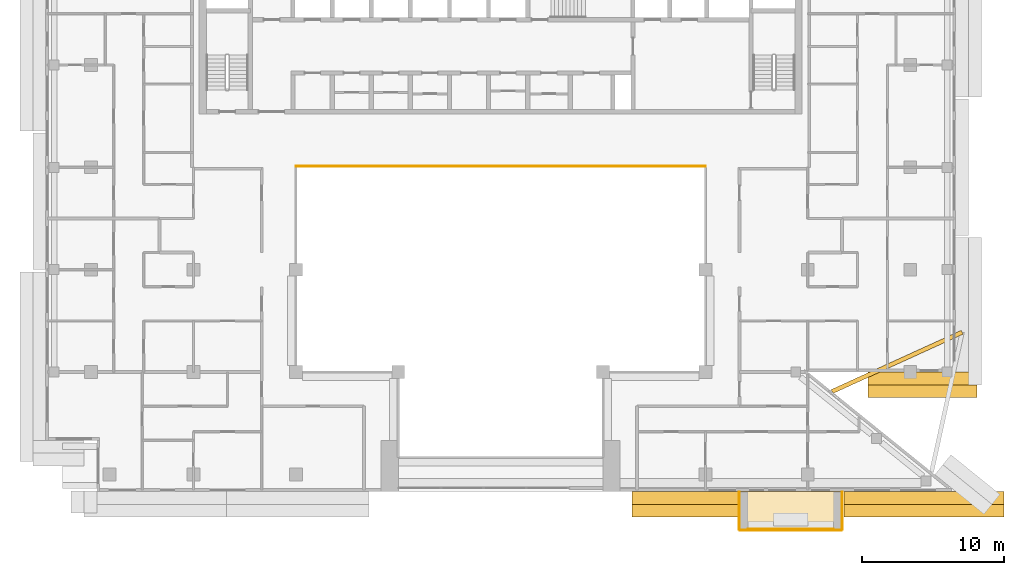
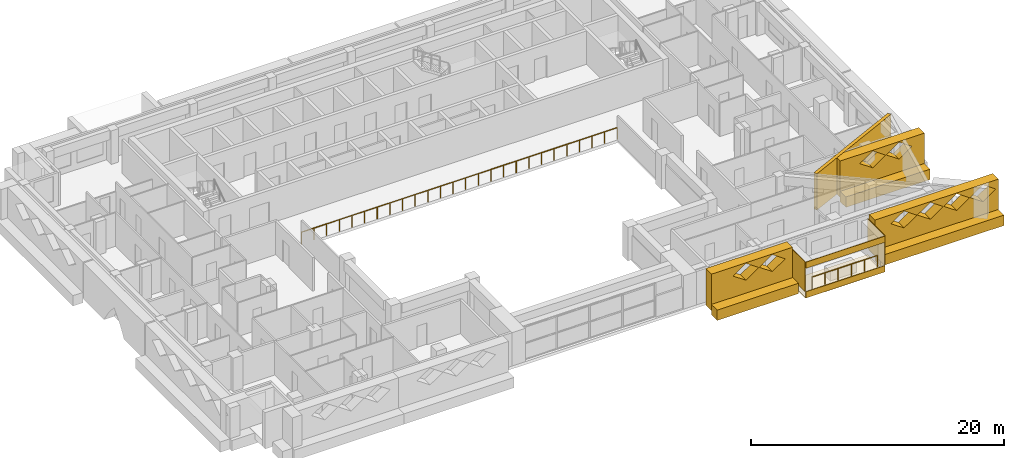
# One storey, part 15 of 19: 12 coverings, 2 railings.
"""IFC4 building model written with IfcOpenShell, lengths in metres."""

from ifc_helpers import new_model, si_unit, direction, frame, origin, origin_2d, place, context, subcontext, project, spatial, polyline, circle, outline, extrude, material, layer, layer_set, type_object, element, save


model = new_model("IFC4")

# Units and contexts
model_context = context("Model", 3, precision=1e-05, world=origin(), true_north=direction((0.0, 1.0)))
body_context = subcontext(model_context, "Body", "Model", "MODEL_VIEW")
ifc_project = project(units=[si_unit("LENGTHUNIT", "METRE"), si_unit("AREAUNIT", "SQUARE_METRE"), si_unit("VOLUMEUNIT", "CUBIC_METRE"), si_unit("PLANEANGLEUNIT", "RADIAN"), si_unit("MASSUNIT", "GRAM", prefix="KILO")], contexts=[model_context])

# Site, building, storey
site_placement = place(None, origin())
site = spatial("IfcSite", under=ifc_project, at=site_placement, CompositionType="ELEMENT")
building_placement = place(site_placement, origin())
building = spatial("IfcBuilding", under=site, at=building_placement, Name="Saffron Iwan Residences", CompositionType="ELEMENT")
storey_placement = place(building_placement, frame((0.0, 0.0, 215.0)))
storey = spatial("IfcBuildingStorey", under=building, at=storey_placement, Name="L57", CompositionType="ELEMENT", Elevation=215.0)

# Railings
ifc_material_1 = material(Name="Stainless steel 316", Category="steel")
railing_type_1 = type_object("IfcRailingType", Name="Atrium guard 1150", PredefinedType="GUARDRAIL", material=ifc_material_1)
railing_1_placement = place(storey_placement, frame((36.0, 62.47509765625, 0.0)))
element("IfcRailing", 1, at=railing_1_placement, inside=storey, type_object=railing_type_1, Name="Atrium guard L57", PredefinedType="GUARDRAIL", context=body_context, shape_type="SweptSolid", body=[
    extrude(circle(Radius=0.02392578125, at=origin_2d()), frame((0.0, 0.0, 1.1259765625), z_axis=(1.0, 0.0, 0.0), x_axis=(0.0, 1.0, 0.0)), (0.0, 0.0, 1.0), 28.800048828125),
    extrude(circle(Radius=0.02099609375, at=origin_2d()), origin(), (0.0, 0.0, 1.0), 1.101806640625),
    extrude(circle(Radius=0.02099609375, at=origin_2d()), frame((1.152099609375, 0.0, 0.0)), (0.0, 0.0, 1.0), 1.101806640625),
    extrude(circle(Radius=0.02099609375, at=origin_2d()), frame((2.303955078125, 0.0, 0.0)), (0.0, 0.0, 1.0), 1.101806640625),
    extrude(circle(Radius=0.02099609375, at=origin_2d()), frame((3.4560546875, 0.0, 0.0)), (0.0, 0.0, 1.0), 1.101806640625),
    extrude(circle(Radius=0.02099609375, at=origin_2d()), frame((4.60791015625, 0.0, 0.0)), (0.0, 0.0, 1.0), 1.101806640625),
    extrude(circle(Radius=0.02099609375, at=origin_2d()), frame((5.760009765625, 0.0, 0.0)), (0.0, 0.0, 1.0), 1.101806640625),
    extrude(circle(Radius=0.02099609375, at=origin_2d()), frame((6.912109375, 0.0, 0.0)), (0.0, 0.0, 1.0), 1.101806640625),
    extrude(circle(Radius=0.02099609375, at=origin_2d()), frame((8.06396484375, 0.0, 0.0)), (0.0, 0.0, 1.0), 1.101806640625),
    extrude(circle(Radius=0.02099609375, at=origin_2d()), frame((9.216064453125, 0.0, 0.0)), (0.0, 0.0, 1.0), 1.101806640625),
    extrude(circle(Radius=0.02099609375, at=origin_2d()), frame((10.367919921875, 0.0, 0.0)), (0.0, 0.0, 1.0), 1.101806640625),
    extrude(circle(Radius=0.02099609375, at=origin_2d()), frame((11.52001953125, 0.0, 0.0)), (0.0, 0.0, 1.0), 1.101806640625),
    extrude(circle(Radius=0.02099609375, at=origin_2d()), frame((12.672119140625, 0.0, 0.0)), (0.0, 0.0, 1.0), 1.101806640625),
    extrude(circle(Radius=0.02099609375, at=origin_2d()), frame((13.823974609375, 0.0, 0.0)), (0.0, 0.0, 1.0), 1.101806640625),
    extrude(circle(Radius=0.02099609375, at=origin_2d()), frame((14.97607421875, 0.0, 0.0)), (0.0, 0.0, 1.0), 1.101806640625),
    extrude(circle(Radius=0.02099609375, at=origin_2d()), frame((16.1279296875, 0.0, 0.0)), (0.0, 0.0, 1.0), 1.101806640625),
    extrude(circle(Radius=0.02099609375, at=origin_2d()), frame((17.280029296875, 0.0, 0.0)), (0.0, 0.0, 1.0), 1.101806640625),
    extrude(circle(Radius=0.02099609375, at=origin_2d()), frame((18.43212890625, 0.0, 0.0)), (0.0, 0.0, 1.0), 1.101806640625),
    extrude(circle(Radius=0.02099609375, at=origin_2d()), frame((19.583984375, 0.0, 0.0)), (0.0, 0.0, 1.0), 1.101806640625),
    extrude(circle(Radius=0.02099609375, at=origin_2d()), frame((20.736083984375, 0.0, 0.0)), (0.0, 0.0, 1.0), 1.101806640625),
    extrude(circle(Radius=0.02099609375, at=origin_2d()), frame((21.887939453125, 0.0, 0.0)), (0.0, 0.0, 1.0), 1.101806640625),
    extrude(circle(Radius=0.02099609375, at=origin_2d()), frame((23.0400390625, 0.0, 0.0)), (0.0, 0.0, 1.0), 1.101806640625),
    extrude(circle(Radius=0.02099609375, at=origin_2d()), frame((24.192138671875, 0.0, 0.0)), (0.0, 0.0, 1.0), 1.101806640625),
    extrude(circle(Radius=0.02099609375, at=origin_2d()), frame((25.343994140625, 0.0, 0.0)), (0.0, 0.0, 1.0), 1.101806640625),
    extrude(circle(Radius=0.02099609375, at=origin_2d()), frame((26.49609375, 0.0, 0.0)), (0.0, 0.0, 1.0), 1.101806640625),
    extrude(circle(Radius=0.02099609375, at=origin_2d()), frame((27.64794921875, 0.0, 0.0)), (0.0, 0.0, 1.0), 1.101806640625),
    extrude(circle(Radius=0.02099609375, at=origin_2d()), frame((28.800048828125, 0.0, 0.0)), (0.0, 0.0, 1.0), 1.101806640625),
])
railing_type_2 = type_object("IfcRailingType", Name="BALCONY GUARD 1150", PredefinedType="GUARDRAIL", material=ifc_material_1)
railing_2_placement = place(storey_placement, frame((67.800048828125, 36.97509765625, 0.0)))
element("IfcRailing", 2, at=railing_2_placement, inside=storey, type_object=railing_type_2, Name="Balcony guard L57 11-1", PredefinedType="GUARDRAIL", context=body_context, shape_type="SweptSolid", body=[
    extrude(circle(Radius=0.02392578125, at=origin_2d()), frame((0.0, 0.0, 1.1259765625), z_axis=(1.0, 0.0, 0.0), x_axis=(0.0, 1.0, 0.0)), (0.0, 0.0, 1.0), 6.0),
    extrude(circle(Radius=0.02099609375, at=origin_2d()), origin(), (0.0, 0.0, 1.0), 1.101806640625),
    extrude(circle(Radius=0.02099609375, at=origin_2d()), frame((1.199951171875, 0.0, 0.0)), (0.0, 0.0, 1.0), 1.101806640625),
    extrude(circle(Radius=0.02099609375, at=origin_2d()), frame((2.39990234375, 0.0, 0.0)), (0.0, 0.0, 1.0), 1.101806640625),
    extrude(circle(Radius=0.02099609375, at=origin_2d()), frame((3.60009765625, 0.0, 0.0)), (0.0, 0.0, 1.0), 1.101806640625),
    extrude(circle(Radius=0.02099609375, at=origin_2d()), frame((4.800048828125, 0.0, 0.0)), (0.0, 0.0, 1.0), 1.101806640625),
    extrude(circle(Radius=0.02099609375, at=origin_2d()), frame((6.0, 0.0, 0.0)), (0.0, 0.0, 1.0), 1.101806640625),
])

# Coverings
ifc_material_2 = material(Name="Precast concrete C40/50 white painted", Category="concrete")
ifc_layer_1 = layer(ifc_material_2, 0.050048828125)
ifc_layer_set_1 = layer_set([ifc_layer_1], Name="Precast concrete C40/50 white painted")
covering_type_1 = type_object("IfcCoveringType", Name="FRAME SKIN PRECAST WHITE 50", PredefinedType="CLADDING", material=ifc_layer_set_1)
for number, where, name in (
    (3, (0.0, 0.0, -0.60009765625), "Frame skin slab edge L57 11-1"),
    (4, (0.0, 0.0, 2.25), "Frame skin fascia L57 11-1"),
):
    element("IfcCovering", number, at=place(storey_placement, frame(where)), inside=storey, type_object=covering_type_1, Name=name, PredefinedType="CLADDING", context=body_context, shape_type="SweptSolid", body=[
        extrude(outline(polyline([(67.199951171875, 36.85009765625), (74.39990234375, 36.85009765625), (74.39990234375, 36.89990234375), (67.199951171875, 36.89990234375), (67.199951171875, 36.85009765625)])), origin(), (0.0, 0.0, 1.0), 0.60009765625),
    ])
covering_1_placement = place(storey_placement, frame((0.0, 0.0, -0.64990234375)))
element("IfcCovering", 5, at=covering_1_placement, inside=storey, type_object=covering_type_1, Name="Frame skin soffit L57 11-1", PredefinedType="CLADDING", context=body_context, shape_type="SweptSolid", body=[
    extrude(outline(polyline([(67.199951171875, 36.89990234375), (74.39990234375, 36.89990234375), (74.39990234375, 39.60009765625), (67.199951171875, 39.60009765625), (67.199951171875, 36.89990234375)])), origin(), (0.0, 0.0, 1.0), 0.0498046875),
])
covering_2_placement = place(storey_placement, origin())
element("IfcCovering", 6, at=covering_2_placement, inside=storey, type_object=covering_type_1, Name="Frame skin fin L57 11-1a", PredefinedType="CLADDING", context=body_context, shape_type="SweptSolid", body=[
    extrude(outline(polyline([(67.14990234375, 36.89990234375), (67.199951171875, 36.89990234375), (67.199951171875, 39.60009765625), (67.14990234375, 39.60009765625), (67.14990234375, 36.89990234375)])), origin(), (0.0, 0.0, 1.0), 2.85009765625),
])
covering_3_placement = place(storey_placement, origin())
element("IfcCovering", 7, at=covering_3_placement, inside=storey, type_object=covering_type_1, Name="Frame skin fin L57 11-1b", PredefinedType="CLADDING", context=body_context, shape_type="SweptSolid", body=[
    extrude(outline(polyline([(74.39990234375, 36.89990234375), (74.449951171875, 36.89990234375), (74.449951171875, 39.60009765625), (74.39990234375, 39.60009765625), (74.39990234375, 36.89990234375)])), origin(), (0.0, 0.0, 1.0), 2.85009765625),
])
ifc_material_3 = material(Name="Precast concrete C40/50", Category="concrete")
covering_type_2 = type_object("IfcCoveringType", Name="OUTER SKIN LATTICE SCREEN", PredefinedType="CLADDING", material=ifc_material_3)
covering_4_placement = place(storey_placement, frame((76.235595703125, 48.0, -0.280029296875), z_axis=(0.0, -1.0, 0.0), x_axis=(1.0, 0.0, 0.0)))
element("IfcCovering", 8, at=covering_4_placement, inside=storey, type_object=covering_type_2, Name="OUTER SKIN lattice screen L57 F1.0", PredefinedType="CLADDING", context=body_context, shape_type="SweptSolid", body=[
    extrude(outline(polyline([(0.0, 0.0), (7.66455078125, 0.0), (7.66455078125, 3.5), (0.0, 3.5), (0.0, 0.0)]), holes=[polyline([(1.784423828125, 2.625), (2.964599609375, 1.81005859375), (4.14453125, 2.625), (2.964599609375, 3.43994140625), (1.784423828125, 2.625)]), polyline([(4.1845703125, 2.625), (5.364501953125, 1.81005859375), (6.54443359375, 2.625), (5.364501953125, 3.43994140625), (4.1845703125, 2.625)])]), origin(), (0.0, 0.0, 1.0), 0.89990234375),
])
covering_5_placement = place(storey_placement, frame((59.64990234375, 39.60009765625, -0.280029296875), z_axis=(0.0, -1.0, 0.0), x_axis=(1.0, 0.0, 0.0)))
element("IfcCovering", 9, at=covering_5_placement, inside=storey, type_object=covering_type_2, Name="OUTER SKIN lattice screen L57 F11.2", PredefinedType="CLADDING", context=body_context, shape_type="SweptSolid", body=[
    extrude(outline(polyline([(0.0, 0.0), (7.39990234375, 0.0), (7.39990234375, 3.5), (0.0, 3.5), (0.0, 0.0)]), holes=[polyline([(1.969970703125, 2.625), (3.14990234375, 1.81005859375), (4.330078125, 2.625), (3.14990234375, 3.43994140625), (1.969970703125, 2.625)]), polyline([(4.3701171875, 2.625), (5.550048828125, 1.81005859375), (6.72998046875, 2.625), (5.550048828125, 3.43994140625), (4.3701171875, 2.625)])]), origin(), (0.0, 0.0, 1.0), 0.900146484375),
])
covering_6_placement = place(storey_placement, frame((74.550048828125, 39.60009765625, -0.280029296875), z_axis=(0.0, -1.0, 0.0), x_axis=(1.0, 0.0, 0.0)))
element("IfcCovering", 10, at=covering_6_placement, inside=storey, type_object=covering_type_2, Name="OUTER SKIN lattice screen L57 F11.3", PredefinedType="CLADDING", context=body_context, shape_type="SweptSolid", body=[
    extrude(outline(polyline([(0.0, 0.0), (11.24560546875, 0.0), (11.24560546875, 3.5), (0.0, 3.5), (0.0, 0.0)]), holes=[polyline([(1.469970703125, 2.625), (2.64990234375, 1.81005859375), (3.830078125, 2.625), (2.64990234375, 3.43994140625), (1.469970703125, 2.625)]), polyline([(3.8701171875, 2.625), (5.050048828125, 1.81005859375), (6.22998046875, 2.625), (5.050048828125, 3.43994140625), (3.8701171875, 2.625)]), polyline([(6.27001953125, 2.625), (7.449951171875, 1.81005859375), (8.6298828125, 2.625), (7.449951171875, 3.43994140625), (6.27001953125, 2.625)]), polyline([(8.669921875, 2.625), (9.85009765625, 1.81005859375), (11.030029296875, 2.625), (9.85009765625, 3.43994140625), (8.669921875, 2.625)])]), origin(), (0.0, 0.0, 1.0), 0.900146484375),
])
ifc_layer_2 = layer(ifc_material_2, 0.300048828125)
ifc_layer_set_2 = layer_set([ifc_layer_2], Name="Precast concrete C40/50 white painted")
covering_type_3 = type_object("IfcCoveringType", Name="PROW NOSE BLADE PRECAST WHITE", PredefinedType="CLADDING", material=ifc_layer_set_2)
covering_7_placement = place(storey_placement, frame((0.0, 0.0, -0.280029296875)))
element("IfcCovering", 11, at=covering_7_placement, inside=storey, type_object=covering_type_3, Name="Prow nose blade L57 b", PredefinedType="CLADDING", context=body_context, shape_type="SweptSolid", body=[
    extrude(outline(polyline([(73.761474609375, 46.490966796875), (82.917236328125, 50.6650390625), (82.792724609375, 50.93798828125), (73.636962890625, 46.763916015625), (73.761474609375, 46.490966796875)])), origin(), (0.0, 0.0, 1.0), 3.5),
])
ifc_layer_3 = layer(ifc_material_2, 0.89990234375)
ifc_layer_set_3 = layer_set([ifc_layer_3], Name="Precast concrete C40/50 white painted")
covering_type_4 = type_object("IfcCoveringType", Name="WHITE EDGE BAND 900 x 1000", PredefinedType="CLADDING", material=ifc_layer_set_3)
covering_8_placement = place(storey_placement, frame((0.0, 0.0, -0.699951171875)))
element("IfcCovering", 12, at=covering_8_placement, inside=storey, type_object=covering_type_4, Name="White edge band L57 F1.0", PredefinedType="CLADDING", context=body_context, shape_type="SweptSolid", body=[
    extrude(outline(polyline([(76.235595703125, 46.199951171875), (83.89990234375, 46.199951171875), (83.89990234375, 47.10009765625), (76.235595703125, 47.10009765625), (76.235595703125, 46.199951171875)])), origin(), (0.0, 0.0, 1.0), 1.0),
])
covering_9_placement = place(storey_placement, frame((0.0, 0.0, -0.699951171875)))
element("IfcCovering", 13, at=covering_9_placement, inside=storey, type_object=covering_type_4, Name="White edge band L57 F11.2", PredefinedType="CLADDING", context=body_context, shape_type="SweptSolid", body=[
    extrude(outline(polyline([(59.64990234375, 37.800048828125), (67.050048828125, 37.800048828125), (67.050048828125, 38.699951171875), (59.64990234375, 38.699951171875), (59.64990234375, 37.800048828125)])), origin(), (0.0, 0.0, 1.0), 1.0),
])
covering_10_placement = place(storey_placement, frame((0.0, 0.0, -0.699951171875)))
element("IfcCovering", 14, at=covering_10_placement, inside=storey, type_object=covering_type_4, Name="White edge band L57 F11.3", PredefinedType="CLADDING", context=body_context, shape_type="SweptSolid", body=[
    extrude(outline(polyline([(74.550048828125, 37.800048828125), (85.79541015625, 37.800048828125), (85.79541015625, 38.699951171875), (74.550048828125, 38.699951171875), (74.550048828125, 37.800048828125)])), origin(), (0.0, 0.0, 1.0), 1.0),
])

save(model, "model.ifc")
